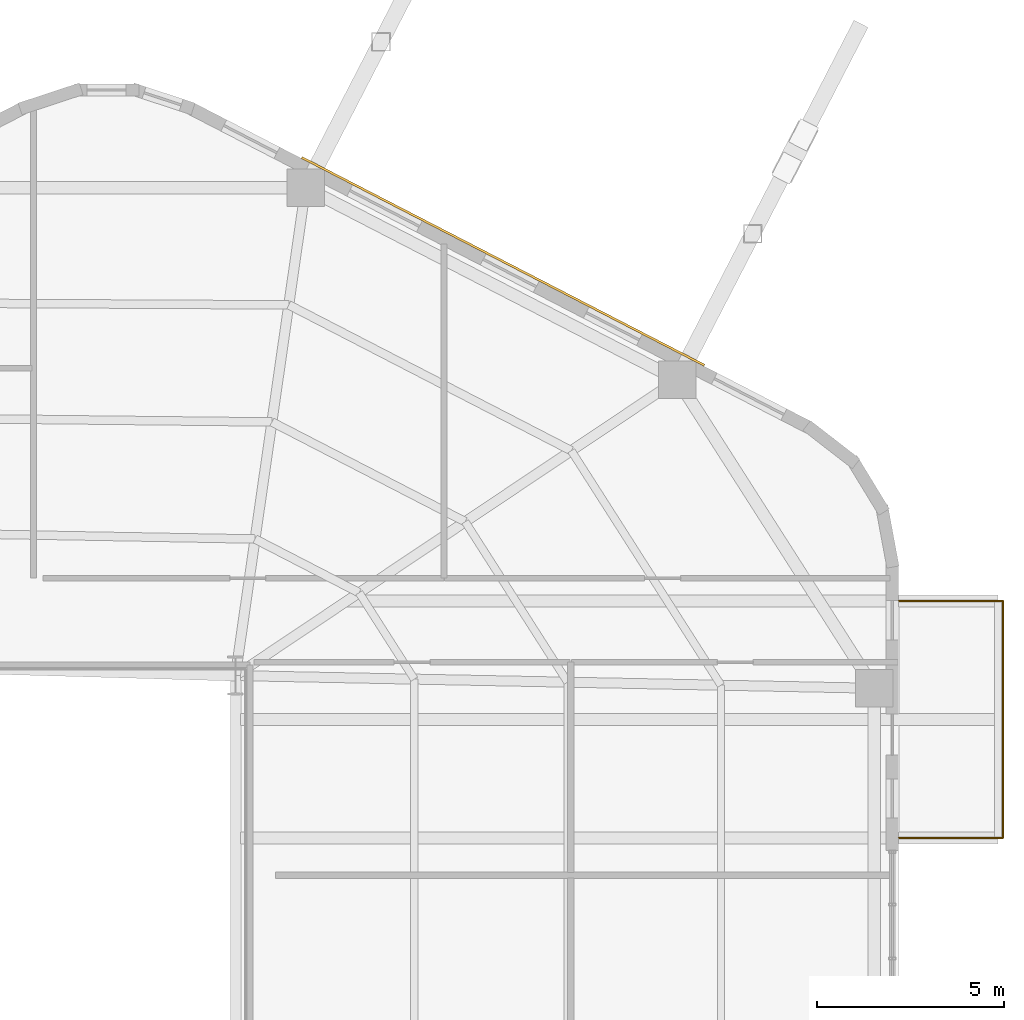
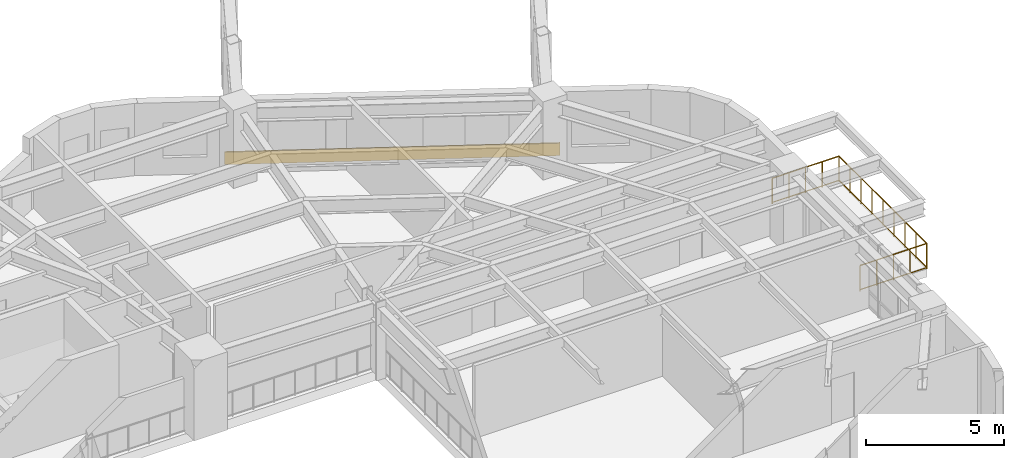
# One storey, part 9 of 9: 1 covering, 1 railing.
"""IFC4 building model written with IfcOpenShell, lengths in metres."""

from ifc_helpers import new_model, si_unit, direction, frame, origin, origin_2d, place, context, subcontext, project, spatial, rectangle, circle, extrude, material, layer, layer_set, type_object, element, save


model = new_model("IFC4")

# Units and contexts
model_context = context("Model", 3, precision=1e-05, world=origin(), true_north=direction((0.0, 1.0)))
body_context = subcontext(model_context, "Body", "Model", "MODEL_VIEW")
ifc_project = project(units=[si_unit("LENGTHUNIT", "METRE"), si_unit("AREAUNIT", "SQUARE_METRE"), si_unit("VOLUMEUNIT", "CUBIC_METRE"), si_unit("PLANEANGLEUNIT", "RADIAN"), si_unit("MASSUNIT", "GRAM", prefix="KILO"), si_unit("THERMODYNAMICTEMPERATUREUNIT", "KELVIN"), si_unit("POWERUNIT", "WATT")], contexts=[model_context])

# Site, building, storey
site_placement = place(None, origin())
site = spatial("IfcSite", under=ifc_project, at=site_placement, CompositionType="ELEMENT")
building_placement = place(site_placement, origin())
building = spatial("IfcBuilding", under=site, at=building_placement, Name="Skarre Station Tower", CompositionType="ELEMENT")
storey_placement = place(building_placement, frame((0.0, 0.0, 101.550048828125)))
storey = spatial("IfcBuildingStorey", under=building, at=storey_placement, Name="L26", CompositionType="ELEMENT", Elevation=101.550048828125)

# Railing
ifc_material_1 = material(Name="Stainless Steel Grade 316L & Laminated Safety Glass", Category="steel")
railing_type = type_object("IfcRailingType", Name="Laminated Glass & Stainless Terrace Guardrail 1150", PredefinedType="BALUSTRADE", material=ifc_material_1)
railing_placement = place(storey_placement, frame((57.22802734375, 31.35009765625, 0.0)))
element("IfcRailing", 1, at=railing_placement, inside=storey, type_object=railing_type, Name="L26 SG-1 Conservatory Terrace Guardrail", PredefinedType="BALUSTRADE", context=body_context, shape_type="SweptSolid", body=[
    extrude(circle(Radius=0.02392578125, at=origin_2d()), frame((0.0, 0.0, 1.1259765625), z_axis=(1.0, 0.0, 0.0), x_axis=(0.0, 1.0, 0.0)), (0.0, 0.0, 1.0), 2.7900390625),
    extrude(circle(Radius=0.02099609375, at=origin_2d()), frame((0.0, 0.0, 0.06005859375), z_axis=(1.0, 0.0, 0.0), x_axis=(0.0, 1.0, 0.0)), (0.0, 0.0, 1.0), 2.7900390625),
    extrude(circle(Radius=0.02392578125, at=origin_2d()), frame((2.7900390625, 0.0, 1.1259765625), z_axis=(0.0, -1.0, 0.0), x_axis=(1.0, 0.0, 0.0)), (0.0, 0.0, 1.0), 6.34814453125),
    extrude(circle(Radius=0.02099609375, at=origin_2d()), frame((2.7900390625, 0.0, 0.06005859375), z_axis=(0.0, -1.0, 0.0), x_axis=(1.0, 0.0, 0.0)), (0.0, 0.0, 1.0), 6.34814453125),
    extrude(circle(Radius=0.02392578125, at=origin_2d()), frame((2.7900390625, -6.34814453125, 1.1259765625), z_axis=(-1.0, 0.0, 0.0), x_axis=(0.0, -1.0, 0.0)), (0.0, 0.0, 1.0), 2.7900390625),
    extrude(circle(Radius=0.02099609375, at=origin_2d()), frame((2.7900390625, -6.34814453125, 0.06005859375), z_axis=(-1.0, 0.0, 0.0), x_axis=(0.0, -1.0, 0.0)), (0.0, 0.0, 1.0), 2.7900390625),
    extrude(circle(Radius=0.02099609375, at=origin_2d()), origin(), (0.0, 0.0, 1.0), 1.101806640625),
    extrude(circle(Radius=0.02099609375, at=origin_2d()), frame((0.697509765625, 0.0, 0.0)), (0.0, 0.0, 1.0), 1.101806640625),
    extrude(circle(Radius=0.02099609375, at=origin_2d()), frame((1.39501953125, 0.0, 0.0)), (0.0, 0.0, 1.0), 1.101806640625),
    extrude(circle(Radius=0.02099609375, at=origin_2d()), frame((2.092529296875, 0.0, 0.0)), (0.0, 0.0, 1.0), 1.101806640625),
    extrude(circle(Radius=0.02099609375, at=origin_2d()), frame((2.7900390625, 0.0, 0.0)), (0.0, 0.0, 1.0), 1.101806640625),
    extrude(circle(Radius=0.02099609375, at=origin_2d()), frame((2.7900390625, -0.79345703125, 0.0)), (0.0, 0.0, 1.0), 1.101806640625),
    extrude(circle(Radius=0.02099609375, at=origin_2d()), frame((2.7900390625, -1.5869140625, 0.0)), (0.0, 0.0, 1.0), 1.101806640625),
    extrude(circle(Radius=0.02099609375, at=origin_2d()), frame((2.7900390625, -2.380615234375, 0.0)), (0.0, 0.0, 1.0), 1.101806640625),
    extrude(circle(Radius=0.02099609375, at=origin_2d()), frame((2.7900390625, -3.174072265625, 0.0)), (0.0, 0.0, 1.0), 1.101806640625),
    extrude(circle(Radius=0.02099609375, at=origin_2d()), frame((2.7900390625, -3.967529296875, 0.0)), (0.0, 0.0, 1.0), 1.101806640625),
    extrude(circle(Radius=0.02099609375, at=origin_2d()), frame((2.7900390625, -4.76123046875, 0.0)), (0.0, 0.0, 1.0), 1.101806640625),
    extrude(circle(Radius=0.02099609375, at=origin_2d()), frame((2.7900390625, -5.5546875, 0.0)), (0.0, 0.0, 1.0), 1.101806640625),
    extrude(circle(Radius=0.02099609375, at=origin_2d()), frame((2.7900390625, -6.34814453125, 0.0)), (0.0, 0.0, 1.0), 1.101806640625),
    extrude(circle(Radius=0.02099609375, at=origin_2d()), frame((2.092529296875, -6.34814453125, 0.0)), (0.0, 0.0, 1.0), 1.101806640625),
    extrude(circle(Radius=0.02099609375, at=origin_2d()), frame((1.39501953125, -6.34814453125, 0.0)), (0.0, 0.0, 1.0), 1.101806640625),
    extrude(circle(Radius=0.02099609375, at=origin_2d()), frame((0.697509765625, -6.34814453125, 0.0)), (0.0, 0.0, 1.0), 1.101806640625),
    extrude(circle(Radius=0.02099609375, at=origin_2d()), frame((0.0, -6.34814453125, 0.0)), (0.0, 0.0, 1.0), 1.101806640625),
])

# Covering
ifc_material_2 = material(Name="Honed Pale Nordic Granite Cladding", Category="masonry")
ifc_layer = layer(ifc_material_2, 0.06005859375, Name="Honed Pale Nordic Granite Cladding")
ifc_layer_set = layer_set([ifc_layer], Name="Honed Pale Nordic Granite Cladding")
covering_type = type_object("IfcCoveringType", Name="Precast Pier Spandrel Reveal Cladding 60", PredefinedType="CLADDING", material=ifc_layer_set)
covering_placement = place(storey_placement, frame((46.6201171875, 40.447021484375, 0.14501953125), z_axis=(0.0, 0.0, 1.0), x_axis=(-0.888617232655, 0.458649554484, 0.0)))
element("IfcCovering", 2, at=covering_placement, inside=storey, type_object=covering_type, Name="L26 Facet 0 Granite Spandrel Cladding", PredefinedType="CLADDING", context=body_context, shape_type="SweptSolid", body=[
    extrude(rectangle(XDim=12.14208984375, YDim=0.06005859375, at=origin_2d()), origin(), (0.0, 0.0, 1.0), 0.550048828125),
])

save(model, "model.ifc")
